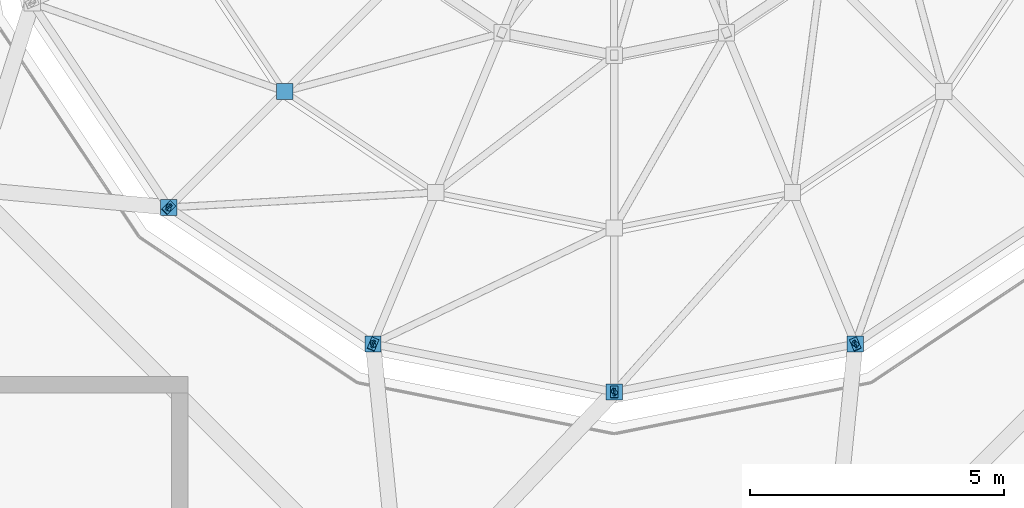
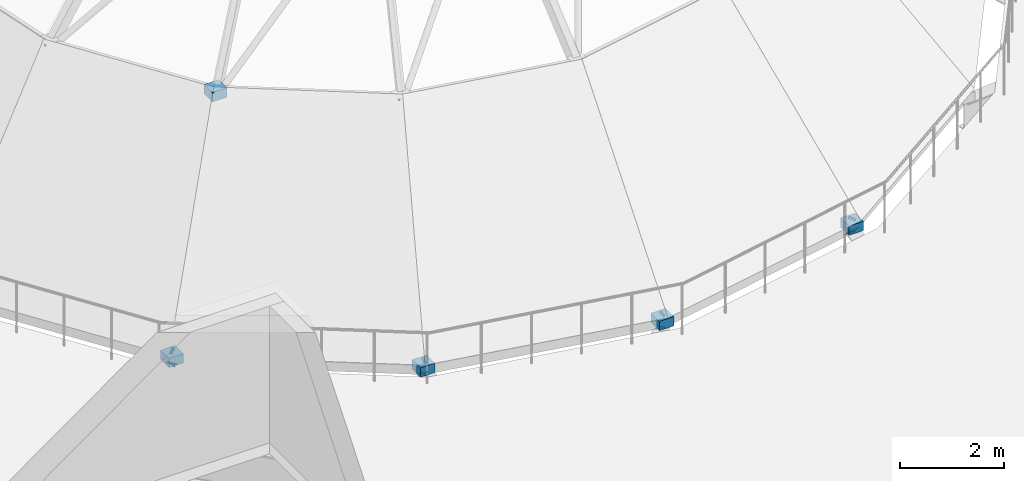
# One storey, part 26 of 40: 21 discrete accessories.
"""IFC4 building model written with IfcOpenShell, lengths in metres."""

import ifcopenshell
import ifcopenshell.guid

model = None  # the IFC model being written
_history = None  # IfcOwnerHistory: only IFC2X3 demands one
_inside = {}  # id of a spatial element -> (the spatial element, [elements in it])
_under = {}  # id of a project, library or spatial element -> (it, [spatial elements below it])
_declared = {}  # id of a project -> (the project, [libraries it declares])
_typed = {}  # id of a type object -> (the type object, [elements of that type])
_made_of = {}  # id of a material, layer set ... -> (it, [elements and type objects made of it])


def new_model(schema):
    """Start an empty IFC model of exactly this schema.

    Asked for "IFC4X3", IfcOpenShell would pick the latest addendum, in which some entities
    have other attributes; the version numbers below select the first issue.
    IFC2X3 requires an IfcOwnerHistory on every rooted entity: one is made here for all.
    """
    global model, _history
    if schema == "IFC4X3":
        model = ifcopenshell.file(schema_version=(4, 3, 0, 0))
    else:
        model = ifcopenshell.file(schema=schema)
    _inside.clear()
    _under.clear()
    _declared.clear()
    _typed.clear()
    _made_of.clear()
    _history = None
    if model.schema == "IFC2X3":
        org = make("IfcOrganization", Name="unknown")
        user = make(
            "IfcPersonAndOrganization",
            ThePerson=make("IfcPerson", FamilyName="unknown"),
            TheOrganization=org,
        )
        app = make(
            "IfcApplication",
            ApplicationDeveloper=org,
            Version="unknown",
            ApplicationFullName="unknown",
            ApplicationIdentifier="unknown",
        )
        _history = make(
            "IfcOwnerHistory",
            OwningUser=user,
            OwningApplication=app,
            ChangeAction="ADDED",
            CreationDate=0,
        )
    return model


def make(cls, **values):
    """One entity of the class cls with the attributes given. An attribute that is None is left unset."""
    return model.create_entity(
        cls, **{name: value for name, value in values.items() if value is not None}
    )


def rooted(cls, **values):
    """An entity with a GlobalId (a new one), such as an element, a storey or a relation."""
    return make(cls, GlobalId=ifcopenshell.guid.new(), OwnerHistory=_history, **values)


def si_unit(unit_type, name, prefix=None):
    """IfcSIUnit, for example si_unit("LENGTHUNIT", "METRE", prefix="MILLI")."""
    return make("IfcSIUnit", UnitType=unit_type, Prefix=prefix, Name=name)


def assignment(units):
    """IfcUnitAssignment: the units of a project."""
    return None if units is None else make("IfcUnitAssignment", Units=units)


def point(xyz):
    """IfcCartesianPoint."""
    return None if xyz is None else make("IfcCartesianPoint", Coordinates=xyz)


def direction(xyz):
    """IfcDirection."""
    return None if xyz is None else make("IfcDirection", DirectionRatios=xyz)


def frame(location, z_axis=None, x_axis=None):
    """IfcAxis2Placement3D, a coordinate frame: its origin and axes. An axis left out is left unset."""
    return make(
        "IfcAxis2Placement3D",
        Location=point(location),
        Axis=direction(z_axis),
        RefDirection=direction(x_axis),
    )


def frame_2d(location, x_axis=None):
    """IfcAxis2Placement2D, a coordinate frame in the plane: its origin and x axis."""
    return make(
        "IfcAxis2Placement2D", Location=point(location), RefDirection=direction(x_axis)
    )


def origin():
    """The frame at (0, 0, 0) with its axes left unset."""
    return frame((0.0, 0.0, 0.0))


def origin_2d():
    """The frame at (0, 0) in the plane with its x axis left unset."""
    return frame_2d((0.0, 0.0))


def place(relative_to, where):
    """IfcLocalPlacement: puts the frame where relative to a parent placement (None: the world)."""
    return make(
        "IfcLocalPlacement", PlacementRelTo=relative_to, RelativePlacement=where
    )


def context(
    kind, dimensions, precision=None, world=None, true_north=None, identifier=None
):
    """IfcGeometricRepresentationContext, for example the 3D "Model" context."""
    return make(
        "IfcGeometricRepresentationContext",
        ContextIdentifier=identifier,
        ContextType=kind,
        CoordinateSpaceDimension=dimensions,
        Precision=precision,
        WorldCoordinateSystem=world,
        TrueNorth=true_north,
    )


def subcontext(parent, identifier, kind, view, scale=None):
    """IfcGeometricRepresentationSubContext, for example "Body" below "Model"."""
    return make(
        "IfcGeometricRepresentationSubContext",
        ContextIdentifier=identifier,
        ContextType=kind,
        ParentContext=parent,
        TargetScale=scale,
        TargetView=view,
    )


def project(units=None, contexts=None):
    """IfcProject with its units and contexts."""
    return rooted(
        "IfcProject",
        Name="project",
        RepresentationContexts=contexts,
        UnitsInContext=assignment(units),
    )


def spatial(cls, under=None, at=None, **own):
    """A site, building, storey or space (cls), placed at a placement, below another one or the project."""
    s = rooted(cls, ObjectPlacement=at, **own)
    if under is not None:
        _under.setdefault(under.id(), (under, []))[1].append(s)
    return s


def profile(cls, at=None, kind="AREA", **sizes):
    """A parametric profile (cls). Its sizes go by their IFC names, for example OverallWidth=200.0."""
    return make(cls, ProfileType=kind, Position=at, **sizes)


def rectangle(**sizes):
    """IfcRectangleProfileDef."""
    return profile("IfcRectangleProfileDef", **sizes)


def circle(**sizes):
    """IfcCircleProfileDef."""
    return profile("IfcCircleProfileDef", **sizes)


def extrude(swept, where, along, depth):
    """IfcExtrudedAreaSolid: the profile swept, set in the frame where, extruded along a direction by depth."""
    return make(
        "IfcExtrudedAreaSolid",
        SweptArea=swept,
        Position=where,
        ExtrudedDirection=direction(along),
        Depth=depth,
    )


def shape(context_of_items, identifier, shape_type, items):
    """IfcShapeRepresentation: the items that make up one representation, for example the "Body"."""
    return make(
        "IfcShapeRepresentation",
        ContextOfItems=context_of_items,
        RepresentationIdentifier=identifier,
        RepresentationType=shape_type,
        Items=items,
    )


def material(Name=None, Category=None):
    """IfcMaterial."""
    return make("IfcMaterial", Name=Name, Category=Category)


def made_of(thing, what):
    """Note that an element or type object is made of a material, layer set ...; save() writes the relation."""
    if what is not None:
        _made_of.setdefault(what.id(), (what, []))[1].append(thing)
    return thing


def type_object(cls, material=None, **own):
    """A type object (cls), such as IfcWallType, which elements share."""
    return made_of(rooted(cls, **own), material)


def element(
    cls,
    number,
    at=None,
    inside=None,
    cuts=None,
    type_object=None,
    material=None,
    context=None,
    identifier="Body",
    shape_type=None,
    held_by="IfcProductDefinitionShape",
    body=None,
    shapes=None,
    **own,
):
    """One element of the class cls, such as IfcWall. Its Tag is "e" and its number.

    at: its placement. inside: the storey or other place that contains it. cuts: it is an
    opening in that element (IfcRelVoidsElement). A single representation is given by context,
    identifier, shape_type and body (its items); several are given by shapes. held_by: the class
    of the entity that holds the representations. save() writes the other relations.
    """
    e = rooted(cls, Tag="e%d" % number, ObjectPlacement=at, **own)
    if body is not None:
        shapes = [shape(context, identifier, shape_type, body)]
    if shapes is not None:
        e.Representation = make(held_by, Representations=shapes)
    if inside is not None:
        _inside.setdefault(inside.id(), (inside, []))[1].append(e)
    if cuts is not None:
        rooted(
            "IfcRelVoidsElement", RelatingBuildingElement=cuts, RelatedOpeningElement=e
        )
    if type_object is not None:
        _typed.setdefault(type_object.id(), (type_object, []))[1].append(e)
    return made_of(e, material)


def aggregate(whole, parts):
    """IfcRelAggregates: a whole, such as a stair, and the parts it consists of."""
    return rooted("IfcRelAggregates", RelatingObject=whole, RelatedObjects=parts)


def save(model, path):
    """Write the relations noted so far, then the file.

    IfcRelAggregates (storeys below a building ...), IfcRelContainedInSpatialStructure (elements
    in a storey), IfcRelDefinesByType, IfcRelAssociatesMaterial and IfcRelDeclares: one each for
    every whole, place, type object, material and project.
    """
    for whole, parts in _under.values():
        aggregate(whole, parts)
    for where, things in _inside.values():
        rooted(
            "IfcRelContainedInSpatialStructure",
            RelatedElements=things,
            RelatingStructure=where,
        )
    for kind, things in _typed.values():
        rooted("IfcRelDefinesByType", RelatedObjects=things, RelatingType=kind)
    for what, things in _made_of.values():
        rooted("IfcRelAssociatesMaterial", RelatedObjects=things, RelatingMaterial=what)
    for by, libraries in _declared.values():
        rooted("IfcRelDeclares", RelatingContext=by, RelatedDefinitions=libraries)
    model.write(path)


model = new_model("IFC4")

# Units and contexts
model_context = context("Model", 3, precision=1e-05, world=origin(), true_north=direction((0.0, 1.0)))
body_context = subcontext(model_context, "Body", "Model", "MODEL_VIEW")
ifc_project = project(units=[si_unit("LENGTHUNIT", "METRE"), si_unit("AREAUNIT", "SQUARE_METRE"), si_unit("VOLUMEUNIT", "CUBIC_METRE"), si_unit("PLANEANGLEUNIT", "RADIAN"), si_unit("MASSUNIT", "GRAM", prefix="KILO"), si_unit("THERMODYNAMICTEMPERATUREUNIT", "KELVIN")], contexts=[model_context])

# Site, building, storey
site_placement = place(None, origin())
site = spatial("IfcSite", under=ifc_project, at=site_placement, CompositionType="ELEMENT")
building_placement = place(site_placement, origin())
building = spatial("IfcBuilding", under=site, at=building_placement, Name="Lustrewick Department Store", CompositionType="ELEMENT")
storey_placement = place(building_placement, frame((0.0, 0.0, 31.800048828125)))
storey = spatial("IfcBuildingStorey", under=building, at=storey_placement, Name="L07", CompositionType="ELEMENT", Elevation=31.800048828125)

# Discrete accessories
ifc_material = material(Name="Structural steel Q355C", Category="steel")
discrete_accessory_type_1 = type_object("IfcDiscreteAccessoryType", Name="GUS-NODE", PredefinedType="BRACKET", material=ifc_material)
for number, where, z_axis, x_axis, name in (
    (1, (20.644287109375, 58.4443359375, -0.28076171875), (0.0, 0.0, 1.0), (1.0, 0.0, 0.0), "V1 Dome Truss Ring 0 Node Gusset 11"),
    (2, (24.661376953125, 55.760009765625, -0.28076171875), (0.0, 0.0, 1.0), (1.0, 0.0, 0.0), "V1 Dome Truss Ring 0 Node Gusset 12"),
    (3, (29.39990234375, 54.8173828125, -0.28076171875), (0.0, 0.0, 1.0), (1.0, 0.0, 0.0), "V1 Dome Truss Ring 0 Node Gusset 13"),
    (4, (34.138671875, 55.760009765625, -0.28076171875), (0.0, 0.0, 1.0), (1.0, 0.0, 0.0), "V1 Dome Truss Ring 0 Node Gusset 14"),
    (5, (22.923095703125, 60.722900390625, 3.755859375), (0.0, 0.0, 1.0), (1.0, 0.0, 0.0), "V1 Dome Truss Ring 1 Node Gusset 11"),
):
    element("IfcDiscreteAccessory", number, at=place(storey_placement, frame(where, z_axis=z_axis, x_axis=x_axis)), inside=storey, type_object=discrete_accessory_type_1, Name=name, PredefinedType="BRACKET", context=body_context, shape_type="SweptSolid", body=[
        extrude(rectangle(XDim=0.320068359375, YDim=0.320068359375, at=origin_2d()), origin(), (0.0, 0.0, 1.0), 0.219970703125),
    ])
discrete_accessory_type_2 = type_object("IfcDiscreteAccessoryType", Name="ECP-01", PredefinedType="USERDEFINED", material=ifc_material)
for number, where, z_axis, x_axis, name in (
    (6, (34.1328125, 55.7587890625, -0.170654296875), (0.98078420768, 0.195095714882, 0.0), (-0.195095714882, 0.98078420768, 0.0), "L07 Welded Hollow-Section End-Cap Plate ECP-01"),
    (7, (29.40576171875, 54.818603515625, -0.170654296875), (-0.98078420768, -0.195095714882, 0.0), (-0.195095714882, 0.98078420768, 0.0), "L07 Welded Hollow-Section End-Cap Plate ECP-01"),
):
    element("IfcDiscreteAccessory", number, at=place(storey_placement, frame(where, z_axis=z_axis, x_axis=x_axis)), inside=storey, type_object=discrete_accessory_type_2, Name=name, ObjectType="END_CAP_PLATE", PredefinedType="USERDEFINED", context=body_context, shape_type="SweptSolid", body=[
        extrude(rectangle(XDim=0.14990234375, YDim=0.300048828125, at=origin_2d()), origin(), (0.0, 0.0, 1.0), 0.01611328125),
    ])
discrete_accessory_1_placement = place(storey_placement, frame((20.64892578125, 58.444580078125, -0.347900390625), z_axis=(-0.780337061031, -0.043541545301, -0.623841490296), x_axis=(-0.055711721157, 0.998446895997, 0.0)))
element("IfcDiscreteAccessory", 8, at=discrete_accessory_1_placement, inside=storey, type_object=discrete_accessory_type_2, Name="L07 Welded Hollow-Section End-Cap Plate ECP-01", ObjectType="END_CAP_PLATE", PredefinedType="USERDEFINED", context=body_context, shape_type="SweptSolid", body=[
    extrude(circle(Radius=0.070068359375, at=origin_2d()), origin(), (0.0, 0.0, 1.0), 0.01611328125),
])
for number, where, z_axis, x_axis, name in (
    (9, (24.65625, 55.763427734375, -0.170654296875), (0.831451201673, -0.555597785486, 0.0), (0.555597785486, 0.831451201673, 0.0), "L07 Welded Hollow-Section End-Cap Plate ECP-01"),
    (10, (20.649169921875, 58.44091796875, -0.170654296875), (-0.831451201673, 0.555597785486, 0.0), (0.555597785486, 0.831451201673, 0.0), "L07 Welded Hollow-Section End-Cap Plate ECP-01"),
):
    element("IfcDiscreteAccessory", number, at=place(storey_placement, frame(where, z_axis=z_axis, x_axis=x_axis)), inside=storey, type_object=discrete_accessory_type_2, Name=name, ObjectType="END_CAP_PLATE", PredefinedType="USERDEFINED", context=body_context, shape_type="SweptSolid", body=[
        extrude(rectangle(XDim=0.14990234375, YDim=0.300048828125, at=origin_2d()), origin(), (0.0, 0.0, 1.0), 0.01611328125),
    ])
discrete_accessory_2_placement = place(storey_placement, frame((29.403076171875, 54.82080078125, -0.347900390625), z_axis=(-0.520974841935, -0.582586158386, -0.623841792547), x_axis=(-0.745423420341, 0.666591272375, 0.0)))
element("IfcDiscreteAccessory", 11, at=discrete_accessory_2_placement, inside=storey, type_object=discrete_accessory_type_2, Name="L07 Welded Hollow-Section End-Cap Plate ECP-01", ObjectType="END_CAP_PLATE", PredefinedType="USERDEFINED", context=body_context, shape_type="SweptSolid", body=[
    extrude(circle(Radius=0.070068359375, at=origin_2d()), origin(), (0.0, 0.0, 1.0), 0.01611328125),
])
discrete_accessory_3_placement = place(storey_placement, frame((20.64697265625, 58.447021484375, -0.322021484375), z_axis=(-0.443459475704, -0.443411965583, -0.778928444844), x_axis=(-0.707068900128, 0.707144660216, 0.0)))
element("IfcDiscreteAccessory", 12, at=discrete_accessory_3_placement, inside=storey, type_object=discrete_accessory_type_2, Name="L07 Welded Hollow-Section End-Cap Plate ECP-01", ObjectType="END_CAP_PLATE", PredefinedType="USERDEFINED", context=body_context, shape_type="SweptSolid", body=[
    extrude(rectangle(XDim=0.14990234375, YDim=0.300048828125, at=origin_2d()), origin(), (0.0, 0.0, 1.0), 0.01611328125),
])
discrete_accessory_4_placement = place(storey_placement, frame((24.66552734375, 55.761962890625, -0.347900390625), z_axis=(-0.704249673272, -0.338899064782, -0.623842785953), x_axis=(-0.433624370733, 0.901093727148, 0.0)))
element("IfcDiscreteAccessory", 13, at=discrete_accessory_4_placement, inside=storey, type_object=discrete_accessory_type_2, Name="L07 Welded Hollow-Section End-Cap Plate ECP-01", ObjectType="END_CAP_PLATE", PredefinedType="USERDEFINED", context=body_context, shape_type="SweptSolid", body=[
    extrude(circle(Radius=0.070068359375, at=origin_2d()), origin(), (0.0, 0.0, 1.0), 0.01611328125),
])
for number, where, z_axis, x_axis, name in (
    (14, (20.640869140625, 58.44921875, -0.170654296875), (0.55556285078, -0.83147454491, 0.0), (0.83147454491, 0.55556285078, 0.0), "L07 Welded Hollow-Section End-Cap Plate ECP-01"),
    (15, (29.39404296875, 54.818603515625, -0.170654296875), (0.980782284253, -0.195105384075, 0.0), (0.195105384075, 0.980782284253, 0.0), "L07 Welded Hollow-Section End-Cap Plate ECP-01"),
    (16, (24.667236328125, 55.7587890625, -0.170654296875), (-0.980782284253, 0.195105384075, 0.0), (0.195105384075, 0.980782284253, 0.0), "L07 Welded Hollow-Section End-Cap Plate ECP-01"),
    (17, (34.1435546875, 55.763427734375, -0.170654296875), (-0.831451201673, -0.555597785486, 0.0), (-0.555597785486, 0.831451201673, 0.0), "L07 Welded Hollow-Section End-Cap Plate ECP-01"),
    (18, (24.662841796875, 55.763427734375, -0.322021484375), (-0.240017807162, -0.579377901493, -0.778917646165), (-0.923861703701, 0.382726472086, 0.0), "L07 Welded Hollow-Section End-Cap Plate ECP-01"),
):
    element("IfcDiscreteAccessory", number, at=place(storey_placement, frame(where, z_axis=z_axis, x_axis=x_axis)), inside=storey, type_object=discrete_accessory_type_2, Name=name, ObjectType="END_CAP_PLATE", PredefinedType="USERDEFINED", context=body_context, shape_type="SweptSolid", body=[
        extrude(rectangle(XDim=0.14990234375, YDim=0.300048828125, at=origin_2d()), origin(), (0.0, 0.0, 1.0), 0.01611328125),
    ])
discrete_accessory_5_placement = place(storey_placement, frame((34.14013671875, 55.764404296875, -0.347900390625), z_axis=(-0.258350932794, -0.737606427224, -0.623852189259), x_axis=(-0.943783054816, 0.330565493422, 0.0)))
element("IfcDiscreteAccessory", 19, at=discrete_accessory_5_placement, inside=storey, type_object=discrete_accessory_type_2, Name="L07 Welded Hollow-Section End-Cap Plate ECP-01", ObjectType="END_CAP_PLATE", PredefinedType="USERDEFINED", context=body_context, shape_type="SweptSolid", body=[
    extrude(circle(Radius=0.070068359375, at=origin_2d()), origin(), (0.0, 0.0, 1.0), 0.01611328125),
])
for number, where, z_axis, x_axis, name in (
    (20, (34.13720703125, 55.763427734375, -0.322021484375), (0.240017807162, -0.579377901493, -0.778917646165), (-0.923861703701, -0.382726472086, 0.0), "L07 Welded Hollow-Section End-Cap Plate ECP-01"),
    (21, (29.39990234375, 54.821044921875, -0.322021484375), (0.0, -0.627154251158, -0.778895079747), (-1.0, 0.0, 0.0), "L07 Welded Hollow-Section End-Cap Plate ECP-01"),
):
    element("IfcDiscreteAccessory", number, at=place(storey_placement, frame(where, z_axis=z_axis, x_axis=x_axis)), inside=storey, type_object=discrete_accessory_type_2, Name=name, ObjectType="END_CAP_PLATE", PredefinedType="USERDEFINED", context=body_context, shape_type="SweptSolid", body=[
        extrude(rectangle(XDim=0.14990234375, YDim=0.300048828125, at=origin_2d()), origin(), (0.0, 0.0, 1.0), 0.01611328125),
    ])

save(model, "model.ifc")
